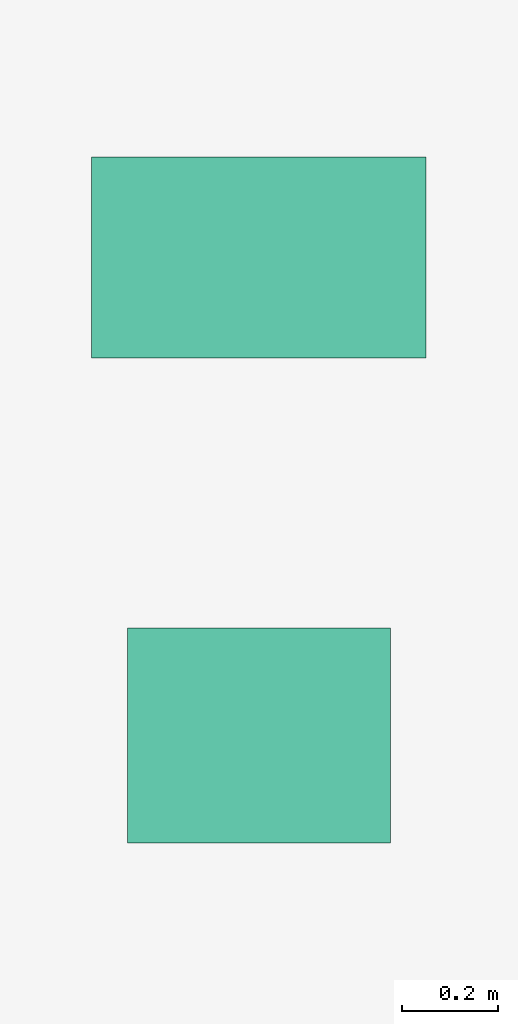
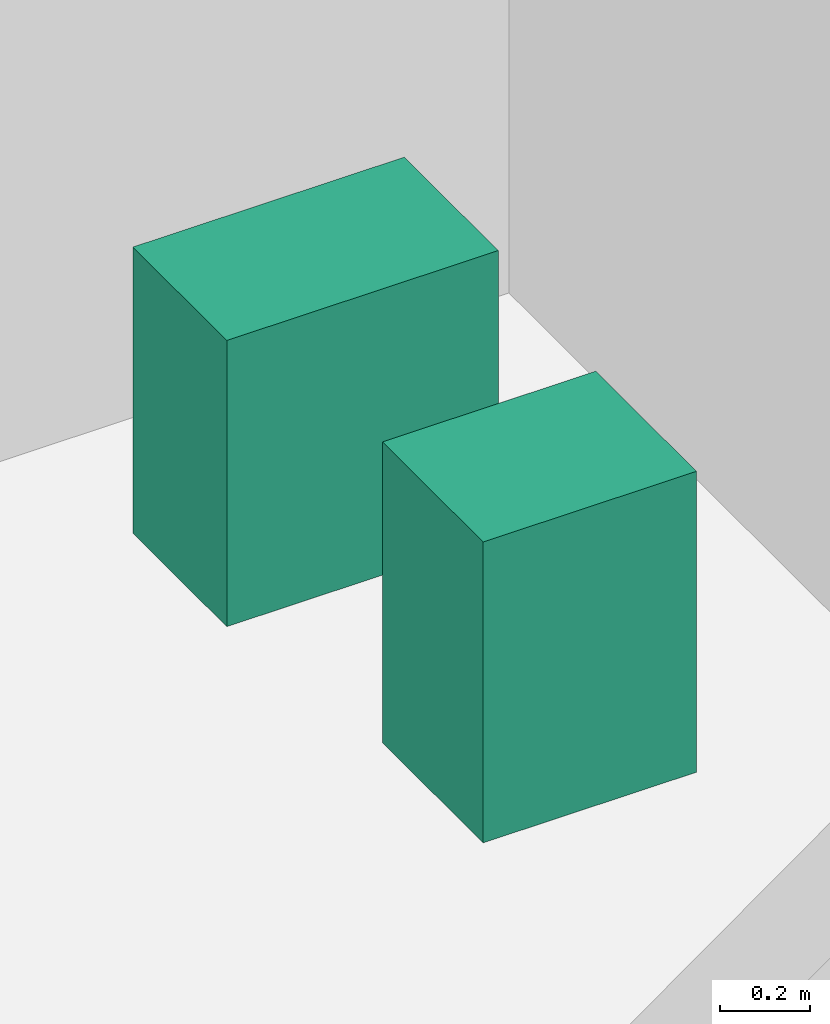
# One storey, part 26 of 26: 2 sanitary terminals.
"""IFC4 building model written with IfcOpenShell, lengths in metres."""

from ifc_helpers import new_model, si_unit, direction, frame, origin, origin_2d, place, context, subcontext, project, spatial, rectangle, extrude, source, transform, mapped, material, type_object, element, save


model = new_model("IFC4")

# Units and contexts
model_context = context("Model", 3, precision=1e-05, world=origin(), true_north=direction((0.0, 1.0)))
body_context = subcontext(model_context, "Body", "Model", "MODEL_VIEW")
ifc_project = project(units=[si_unit("LENGTHUNIT", "METRE"), si_unit("AREAUNIT", "SQUARE_METRE"), si_unit("VOLUMEUNIT", "CUBIC_METRE"), si_unit("PLANEANGLEUNIT", "RADIAN"), si_unit("MASSUNIT", "GRAM", prefix="KILO")], contexts=[model_context])

# Site, building, storey
site_placement = place(None, origin())
site = spatial("IfcSite", under=ifc_project, at=site_placement, CompositionType="ELEMENT")
building_placement = place(site_placement, origin())
building = spatial("IfcBuilding", under=site, at=building_placement, Name="Sumidabori Civic Tower", CompositionType="ELEMENT")
storey_placement = place(building_placement, frame((0.0, 0.0, 243.199951171875)))
storey = spatial("IfcBuildingStorey", under=building, at=storey_placement, Name="L63", CompositionType="ELEMENT", Elevation=243.199951171875)

# Sanitary terminals
ifc_material = material(Name="Vitreous Sanitary Porcelain")
sanitary_terminal_type_1 = type_object("IfcSanitaryTerminalType", Name="SN-WC-1", PredefinedType="TOILETPAN", material=ifc_material)
shared_shape_1 = source(origin(), body_context, "Body", "SweptSolid", [
    extrude(rectangle(XDim=0.699951171875, YDim=0.419921875, at=origin_2d()), origin(), (0.0, 0.0, 1.0), 0.780029296875),
])
sanitary_terminal_1_placement = place(storey_placement, frame((10.800048828125, 21.85009765625, 0.0), z_axis=(0.0, 0.0, 1.0), x_axis=(1.0, 0.0, 0.0)))
element("IfcSanitaryTerminal", 1, at=sanitary_terminal_1_placement, inside=storey, type_object=sanitary_terminal_type_1, Name="Accessible WC Pan L63", PredefinedType="TOILETPAN", context=body_context, shape_type="MappedRepresentation", body=[
    mapped(shared_shape_1, transform((0.0, 0.0, 0.0), x_axis=(1.0, 0.0, 0.0), y_axis=(0.0, 1.0, 0.0), z_axis=(0.0, 0.0, 1.0), scale=1.0)),
])
sanitary_terminal_type_2 = type_object("IfcSanitaryTerminalType", Name="SN-BAS-1", PredefinedType="WASHHANDBASIN", material=ifc_material)
shared_shape_2 = source(origin(), body_context, "Body", "SweptSolid", [
    extrude(rectangle(XDim=0.550048828125, YDim=0.449951171875, at=origin_2d()), origin(), (0.0, 0.0, 1.0), 0.820068359375),
])
sanitary_terminal_2_placement = place(storey_placement, frame((10.800048828125, 20.85009765625, 0.0), z_axis=(0.0, 0.0, 1.0), x_axis=(1.0, 0.0, 0.0)))
element("IfcSanitaryTerminal", 2, at=sanitary_terminal_2_placement, inside=storey, type_object=sanitary_terminal_type_2, Name="Accessible Basin L63", PredefinedType="WASHHANDBASIN", context=body_context, shape_type="MappedRepresentation", body=[
    mapped(shared_shape_2, transform((0.0, 0.0, 0.0), x_axis=(1.0, 0.0, 0.0), y_axis=(0.0, 1.0, 0.0), z_axis=(0.0, 0.0, 1.0), scale=1.0)),
])

save(model, "model.ifc")
